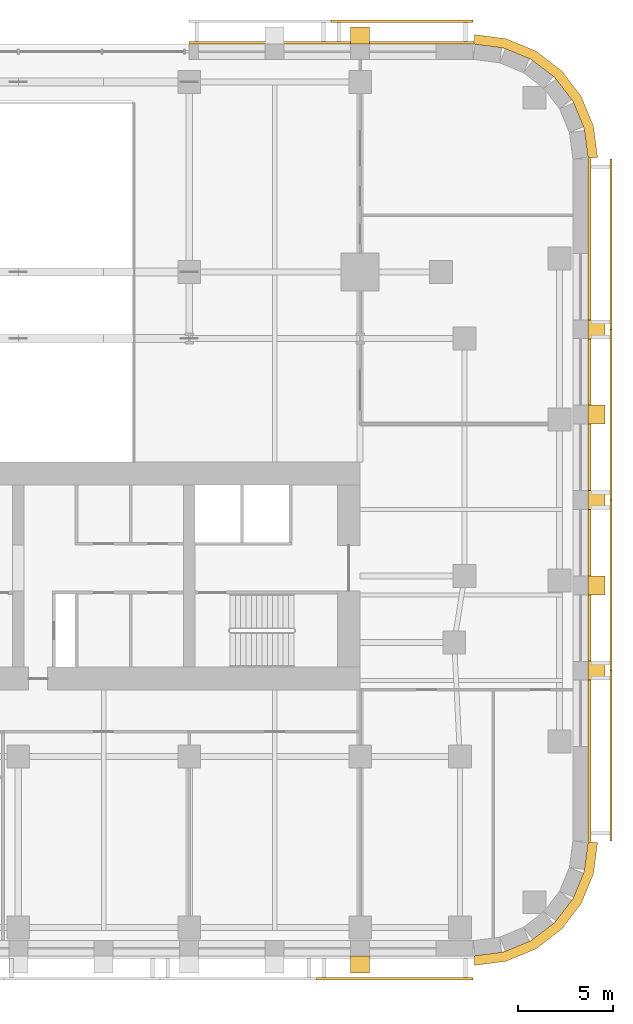
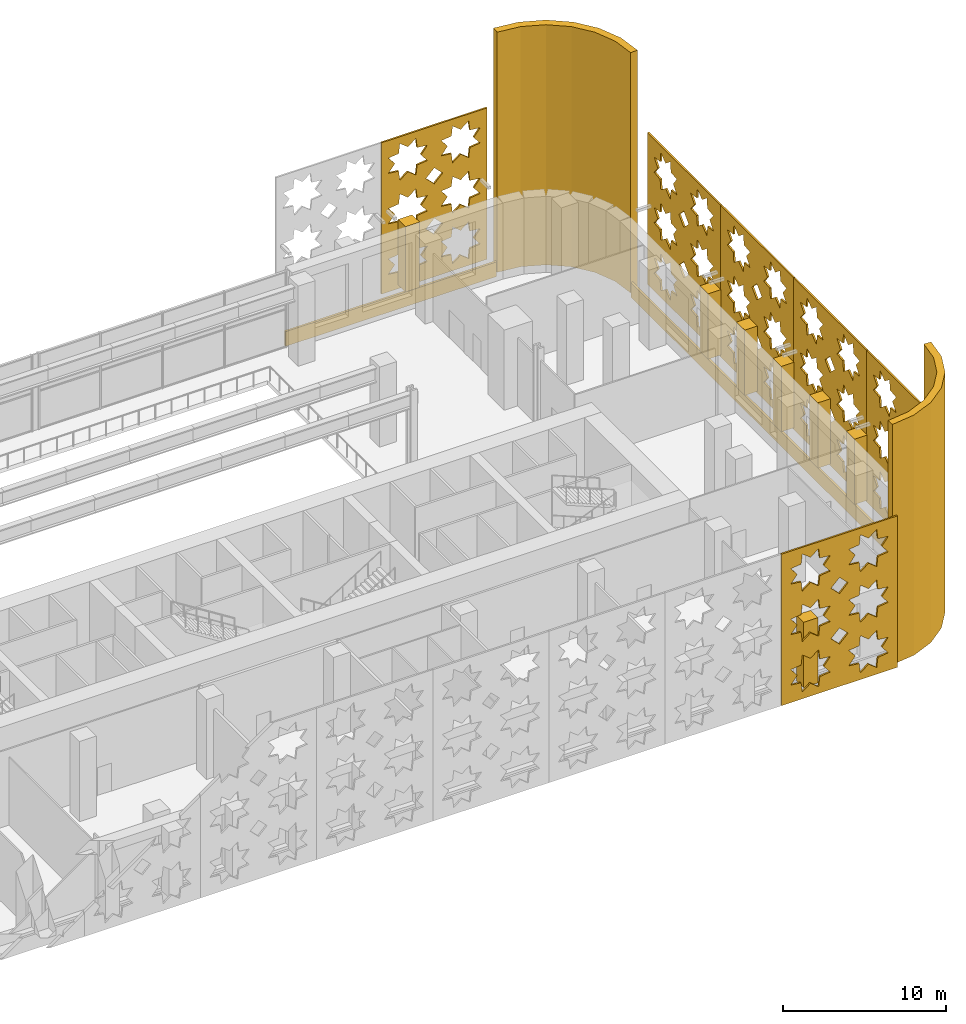
# One storey, part 17 of 17: 17 coverings.
"""IFC4 building model written with IfcOpenShell, lengths in metres."""

from ifc_helpers import new_model, si_unit, direction, frame, origin, place, context, subcontext, project, spatial, polyline, outline, extrude, material, layer, layer_set, type_object, element, save


model = new_model("IFC4")

# Units and contexts
model_context = context("Model", 3, precision=1e-05, world=origin(), true_north=direction((0.0, 1.0)))
body_context = subcontext(model_context, "Body", "Model", "MODEL_VIEW")
ifc_project = project(units=[si_unit("LENGTHUNIT", "METRE"), si_unit("AREAUNIT", "SQUARE_METRE"), si_unit("VOLUMEUNIT", "CUBIC_METRE"), si_unit("PLANEANGLEUNIT", "RADIAN"), si_unit("MASSUNIT", "GRAM", prefix="KILO")], contexts=[model_context])

# Site, building, storey
site_placement = place(None, origin())
site = spatial("IfcSite", under=ifc_project, at=site_placement, CompositionType="ELEMENT")
building_placement = place(site_placement, origin())
building = spatial("IfcBuilding", under=site, at=building_placement, Name="Zellij Exchange Tower", CompositionType="ELEMENT")
storey_placement = place(building_placement, frame((0.0, 0.0, 21.0)))
storey = spatial("IfcBuildingStorey", under=building, at=storey_placement, Name="L03", CompositionType="ELEMENT", Elevation=21.0)

# Coverings
ifc_material_1 = material(Name="Limestone cladding", Category="masonry")
ifc_layer_1 = layer(ifc_material_1, 0.14990234375)
ifc_layer_set_1 = layer_set([ifc_layer_1], Name="Limestone cladding")
covering_type_1 = type_object("IfcCoveringType", Name="ENV-CV1 Stone spandrel band 150", PredefinedType="CLADDING", material=ifc_layer_set_1)
covering_1_placement = place(storey_placement, frame((0.0, 0.0, -0.300048828125)))
element("IfcCovering", 1, at=covering_1_placement, inside=storey, type_object=covering_type_1, Name="Stone spandrel band", PredefinedType="CLADDING", context=body_context, shape_type="SweptSolid", body=[
    extrude(outline(polyline([(39.0, -21.973876953125), (39.0, 13.973876953125), (39.14990234375, 13.983642578125), (39.14990234375, -21.983642578125), (39.0, -21.973876953125)])), origin(), (0.0, 0.0, 1.0), 1.10009765625),
])
covering_2_placement = place(storey_placement, frame((0.0, 0.0, -0.300048828125)))
element("IfcCovering", 2, at=covering_2_placement, inside=storey, type_object=covering_type_1, Name="Stone spandrel band", PredefinedType="CLADDING", context=body_context, shape_type="SweptSolid", body=[
    extrude(outline(polyline([(32.973876953125, 20.0), (18.0, 20.0), (18.0, 20.14990234375), (32.983642578125, 20.14990234375), (32.973876953125, 20.0)])), origin(), (0.0, 0.0, 1.0), 1.10009765625),
])
ifc_layer_2 = layer(ifc_material_1, 0.5)
ifc_layer_set_2 = layer_set([ifc_layer_2], Name="Limestone cladding")
covering_type_2 = type_object("IfcCoveringType", Name="ENV-CV12 Stone corner pier 500", PredefinedType="CLADDING", material=ifc_layer_set_2)
covering_3_placement = place(storey_placement, origin())
element("IfcCovering", 3, at=covering_3_placement, inside=storey, type_object=covering_type_2, Name="Stone corner pier", PredefinedType="CLADDING", context=body_context, shape_type="SweptSolid", body=[
    extrude(outline(polyline([(33.0, -28.0), (34.552978515625, -27.795654296875), (36.0, -27.1962890625), (37.24267578125, -26.24267578125), (38.1962890625, -25.0), (38.795654296875, -23.552978515625), (39.0, -22.0), (39.5, -22.03271484375), (39.28271484375, -23.683349609375), (38.6328125, -25.252197265625), (37.59912109375, -26.59912109375), (36.252197265625, -27.6328125), (34.683349609375, -28.28271484375), (33.03271484375, -28.5), (33.0, -28.0)])), origin(), (0.0, 0.0, 1.0), 18.0),
])
covering_4_placement = place(storey_placement, origin())
element("IfcCovering", 4, at=covering_4_placement, inside=storey, type_object=covering_type_2, Name="Stone corner pier", PredefinedType="CLADDING", context=body_context, shape_type="SweptSolid", body=[
    extrude(outline(polyline([(39.0, 14.0), (38.795654296875, 15.552978515625), (38.1962890625, 17.0), (37.24267578125, 18.24267578125), (36.0, 19.1962890625), (34.552978515625, 19.795654296875), (33.0, 20.0), (33.03271484375, 20.5), (34.683349609375, 20.28271484375), (36.252197265625, 19.6328125), (37.59912109375, 18.59912109375), (38.6328125, 17.252197265625), (39.28271484375, 15.683349609375), (39.5, 14.03271484375), (39.0, 14.0)])), origin(), (0.0, 0.0, 1.0), 18.0),
])
covering_type_3 = type_object("IfcCoveringType", Name="ENV-CV2 Stone pier 1000x900", PredefinedType="CLADDING", material=ifc_material_1)
covering_5_placement = place(storey_placement, frame((0.0, 0.0, 0.800048828125)))
element("IfcCovering", 5, at=covering_5_placement, inside=storey, type_object=covering_type_3, Name="Stone pier", PredefinedType="CLADDING", context=body_context, shape_type="SweptSolid", body=[
    extrude(outline(polyline([(26.5, -28.0), (27.5, -28.0), (27.5, -28.89990234375), (26.5, -28.89990234375), (26.5, -28.0)])), origin(), (0.0, 0.0, 1.0), 4.89990234375),
])
covering_6_placement = place(storey_placement, frame((0.0, 0.0, 0.800048828125)))
element("IfcCovering", 6, at=covering_6_placement, inside=storey, type_object=covering_type_3, Name="Stone pier", PredefinedType="CLADDING", context=body_context, shape_type="SweptSolid", body=[
    extrude(outline(polyline([(39.0, -13.48681640625), (39.0, -12.48681640625), (39.89990234375, -12.48681640625), (39.89990234375, -13.48681640625), (39.0, -13.48681640625)])), origin(), (0.0, 0.0, 1.0), 4.89990234375),
])
covering_7_placement = place(storey_placement, frame((0.0, 0.0, 0.800048828125)))
element("IfcCovering", 7, at=covering_7_placement, inside=storey, type_object=covering_type_3, Name="Stone pier", PredefinedType="CLADDING", context=body_context, shape_type="SweptSolid", body=[
    extrude(outline(polyline([(39.0, -8.993408203125), (39.0, -7.993408203125), (39.89990234375, -7.993408203125), (39.89990234375, -8.993408203125), (39.0, -8.993408203125)])), origin(), (0.0, 0.0, 1.0), 4.89990234375),
])
covering_8_placement = place(storey_placement, frame((0.0, 0.0, 0.800048828125)))
element("IfcCovering", 8, at=covering_8_placement, inside=storey, type_object=covering_type_3, Name="Stone pier", PredefinedType="CLADDING", context=body_context, shape_type="SweptSolid", body=[
    extrude(outline(polyline([(39.0, -4.5), (39.0, -3.5), (39.89990234375, -3.5), (39.89990234375, -4.5), (39.0, -4.5)])), origin(), (0.0, 0.0, 1.0), 4.89990234375),
])
covering_9_placement = place(storey_placement, frame((0.0, 0.0, 0.800048828125)))
element("IfcCovering", 9, at=covering_9_placement, inside=storey, type_object=covering_type_3, Name="Stone pier", PredefinedType="CLADDING", context=body_context, shape_type="SweptSolid", body=[
    extrude(outline(polyline([(39.0, -0.006591796875), (39.0, 0.993408203125), (39.89990234375, 0.993408203125), (39.89990234375, -0.006591796875), (39.0, -0.006591796875)])), origin(), (0.0, 0.0, 1.0), 4.89990234375),
])
covering_10_placement = place(storey_placement, frame((0.0, 0.0, 0.800048828125)))
element("IfcCovering", 10, at=covering_10_placement, inside=storey, type_object=covering_type_3, Name="Stone pier", PredefinedType="CLADDING", context=body_context, shape_type="SweptSolid", body=[
    extrude(outline(polyline([(39.0, 4.48681640625), (39.0, 5.48681640625), (39.89990234375, 5.48681640625), (39.89990234375, 4.48681640625), (39.0, 4.48681640625)])), origin(), (0.0, 0.0, 1.0), 4.89990234375),
])
covering_11_placement = place(storey_placement, frame((0.0, 0.0, 0.800048828125)))
element("IfcCovering", 11, at=covering_11_placement, inside=storey, type_object=covering_type_3, Name="Stone pier", PredefinedType="CLADDING", context=body_context, shape_type="SweptSolid", body=[
    extrude(outline(polyline([(27.5, 20.0), (26.5, 20.0), (26.5, 20.89990234375), (27.5, 20.89990234375), (27.5, 20.0)])), origin(), (0.0, 0.0, 1.0), 4.89990234375),
])
ifc_material_2 = material(Name="Limestone screen", Category="masonry")
ifc_layer_3 = layer(ifc_material_2, 0.1201171875)
ifc_layer_set_3 = layer_set([ifc_layer_3], Name="Limestone screen")
covering_type_4 = type_object("IfcCoveringType", Name="ENV-SC1 Pierced stone screen 120", PredefinedType="USERDEFINED", material=ifc_layer_set_3)
covering_12_placement = place(storey_placement, frame((24.710693359375, -29.2099609375, 0.300048828125), z_axis=(0.0, 0.0, 1.0), x_axis=(1.0, 0.0, 0.0)))
element("IfcCovering", 12, at=covering_12_placement, inside=storey, type_object=covering_type_4, Name="Pierced stone screen", ObjectType="SCREEN", PredefinedType="USERDEFINED", context=body_context, shape_type="SweptSolid", body=[
    extrude(outline(polyline([(0.0, 0.0), (8.23681640625, 0.0), (8.23681640625, 11.35009765625), (0.0, 11.35009765625), (0.0, 0.0)]), holes=[polyline([(3.45751953125, 2.470703125), (2.72265625, 2.55517578125), (2.638427734375, 3.289794921875), (2.05908203125, 2.829833984375), (1.47998046875, 3.289794921875), (1.395751953125, 2.55517578125), (0.6611328125, 2.470703125), (1.12109375, 1.8916015625), (0.6611328125, 1.3125), (1.395751953125, 1.228271484375), (1.47998046875, 0.493408203125), (2.05908203125, 0.953369140625), (2.638427734375, 0.493408203125), (2.72265625, 1.228271484375), (3.45751953125, 1.3125), (2.99755859375, 1.8916015625), (3.45751953125, 2.470703125)]), polyline([(3.45751953125, 6.254150390625), (2.72265625, 6.33837890625), (2.638427734375, 7.072998046875), (2.05908203125, 6.61328125), (1.47998046875, 7.072998046875), (1.395751953125, 6.33837890625), (0.6611328125, 6.254150390625), (1.12109375, 5.675048828125), (0.6611328125, 5.095947265625), (1.395751953125, 5.011474609375), (1.47998046875, 4.27685546875), (2.05908203125, 4.73681640625), (2.638427734375, 4.27685546875), (2.72265625, 5.011474609375), (3.45751953125, 5.095947265625), (2.99755859375, 5.675048828125), (3.45751953125, 6.254150390625)]), polyline([(3.45751953125, 10.03759765625), (2.72265625, 10.121826171875), (2.638427734375, 10.8564453125), (2.05908203125, 10.396484375), (1.47998046875, 10.8564453125), (1.395751953125, 10.121826171875), (0.6611328125, 10.03759765625), (1.12109375, 9.458251953125), (0.6611328125, 8.879150390625), (1.395751953125, 8.794921875), (1.47998046875, 8.060302734375), (2.05908203125, 8.52001953125), (2.638427734375, 8.060302734375), (2.72265625, 8.794921875), (3.45751953125, 8.879150390625), (2.99755859375, 9.458251953125), (3.45751953125, 10.03759765625)]), polyline([(7.57568359375, 2.470703125), (6.841064453125, 2.55517578125), (6.7568359375, 3.289794921875), (6.177734375, 2.829833984375), (5.598388671875, 3.289794921875), (5.51416015625, 2.55517578125), (4.779541015625, 2.470703125), (5.239501953125, 1.8916015625), (4.779541015625, 1.3125), (5.51416015625, 1.228271484375), (5.598388671875, 0.493408203125), (6.177734375, 0.953369140625), (6.7568359375, 0.493408203125), (6.841064453125, 1.228271484375), (7.57568359375, 1.3125), (7.115966796875, 1.8916015625), (7.57568359375, 2.470703125)]), polyline([(7.57568359375, 6.254150390625), (6.841064453125, 6.33837890625), (6.7568359375, 7.072998046875), (6.177734375, 6.61328125), (5.598388671875, 7.072998046875), (5.51416015625, 6.33837890625), (4.779541015625, 6.254150390625), (5.239501953125, 5.675048828125), (4.779541015625, 5.095947265625), (5.51416015625, 5.011474609375), (5.598388671875, 4.27685546875), (6.177734375, 4.73681640625), (6.7568359375, 4.27685546875), (6.841064453125, 5.011474609375), (7.57568359375, 5.095947265625), (7.115966796875, 5.675048828125), (7.57568359375, 6.254150390625)]), polyline([(7.57568359375, 10.03759765625), (6.841064453125, 10.121826171875), (6.7568359375, 10.8564453125), (6.177734375, 10.396484375), (5.598388671875, 10.8564453125), (5.51416015625, 10.121826171875), (4.779541015625, 10.03759765625), (5.239501953125, 9.458251953125), (4.779541015625, 8.879150390625), (5.51416015625, 8.794921875), (5.598388671875, 8.060302734375), (6.177734375, 8.52001953125), (6.7568359375, 8.060302734375), (6.841064453125, 8.794921875), (7.57568359375, 8.879150390625), (7.115966796875, 9.458251953125), (7.57568359375, 10.03759765625)]), polyline([(4.723876953125, 3.783203125), (4.118408203125, 4.388671875), (3.51318359375, 3.783203125), (4.118408203125, 3.177978515625), (4.723876953125, 3.783203125)]), polyline([(4.723876953125, 7.566650390625), (4.118408203125, 8.172119140625), (3.51318359375, 7.566650390625), (4.118408203125, 6.961181640625), (4.723876953125, 7.566650390625)])]), frame((0.0, 0.06005859375, 0.0), z_axis=(0.0, -1.0, 0.0), x_axis=(1.0, 0.0, 0.0)), (0.0, 0.0, 1.0), 0.1201171875),
])
covering_13_placement = place(storey_placement, frame((32.947509765625, 21.2099609375, 0.300048828125), z_axis=(0.0, 0.0, 1.0), x_axis=(-1.0, 0.0, 0.0)))
element("IfcCovering", 13, at=covering_13_placement, inside=storey, type_object=covering_type_4, Name="Pierced stone screen", ObjectType="SCREEN", PredefinedType="USERDEFINED", context=body_context, shape_type="SweptSolid", body=[
    extrude(outline(polyline([(0.0, 0.0), (7.473876953125, 0.0), (7.473876953125, 11.35009765625), (0.0, 11.35009765625), (0.0, 0.0)]), holes=[polyline([(3.24951171875, 2.463623046875), (2.523681640625, 2.547119140625), (2.4404296875, 3.272705078125), (1.868408203125, 2.818359375), (1.29638671875, 3.272705078125), (1.213134765625, 2.547119140625), (0.487548828125, 2.463623046875), (0.941650390625, 1.8916015625), (0.487548828125, 1.319580078125), (1.213134765625, 1.236328125), (1.29638671875, 0.5107421875), (1.868408203125, 0.96484375), (2.4404296875, 0.5107421875), (2.523681640625, 1.236328125), (3.24951171875, 1.319580078125), (2.795166015625, 1.8916015625), (3.24951171875, 2.463623046875)]), polyline([(3.24951171875, 6.2470703125), (2.523681640625, 6.330322265625), (2.4404296875, 7.055908203125), (1.868408203125, 6.601806640625), (1.29638671875, 7.055908203125), (1.213134765625, 6.330322265625), (0.487548828125, 6.2470703125), (0.941650390625, 5.675048828125), (0.487548828125, 5.10302734375), (1.213134765625, 5.019775390625), (1.29638671875, 4.2939453125), (1.868408203125, 4.748291015625), (2.4404296875, 4.2939453125), (2.523681640625, 5.019775390625), (3.24951171875, 5.10302734375), (2.795166015625, 5.675048828125), (3.24951171875, 6.2470703125)]), polyline([(3.24951171875, 10.030517578125), (2.523681640625, 10.113525390625), (2.4404296875, 10.83935546875), (1.868408203125, 10.385009765625), (1.29638671875, 10.83935546875), (1.213134765625, 10.113525390625), (0.487548828125, 10.030517578125), (0.941650390625, 9.458251953125), (0.487548828125, 8.88623046875), (1.213134765625, 8.802978515625), (1.29638671875, 8.077392578125), (1.868408203125, 8.531494140625), (2.4404296875, 8.077392578125), (2.523681640625, 8.802978515625), (3.24951171875, 8.88623046875), (2.795166015625, 9.458251953125), (3.24951171875, 10.030517578125)]), polyline([(6.986328125, 2.463623046875), (6.2607421875, 2.547119140625), (6.177490234375, 3.272705078125), (5.605224609375, 2.818359375), (5.033203125, 3.272705078125), (4.949951171875, 2.547119140625), (4.224365234375, 2.463623046875), (4.6787109375, 1.8916015625), (4.224365234375, 1.319580078125), (4.949951171875, 1.236328125), (5.033203125, 0.5107421875), (5.605224609375, 0.96484375), (6.177490234375, 0.5107421875), (6.2607421875, 1.236328125), (6.986328125, 1.319580078125), (6.531982421875, 1.8916015625), (6.986328125, 2.463623046875)]), polyline([(6.986328125, 6.2470703125), (6.2607421875, 6.330322265625), (6.177490234375, 7.055908203125), (5.605224609375, 6.601806640625), (5.033203125, 7.055908203125), (4.949951171875, 6.330322265625), (4.224365234375, 6.2470703125), (4.6787109375, 5.675048828125), (4.224365234375, 5.10302734375), (4.949951171875, 5.019775390625), (5.033203125, 4.2939453125), (5.605224609375, 4.748291015625), (6.177490234375, 4.2939453125), (6.2607421875, 5.019775390625), (6.986328125, 5.10302734375), (6.531982421875, 5.675048828125), (6.986328125, 6.2470703125)]), polyline([(6.986328125, 10.030517578125), (6.2607421875, 10.113525390625), (6.177490234375, 10.83935546875), (5.605224609375, 10.385009765625), (5.033203125, 10.83935546875), (4.949951171875, 10.113525390625), (4.224365234375, 10.030517578125), (4.6787109375, 9.458251953125), (4.224365234375, 8.88623046875), (4.949951171875, 8.802978515625), (5.033203125, 8.077392578125), (5.605224609375, 8.531494140625), (6.177490234375, 8.077392578125), (6.2607421875, 8.802978515625), (6.986328125, 8.88623046875), (6.531982421875, 9.458251953125), (6.986328125, 10.030517578125)]), polyline([(4.334716796875, 3.783203125), (3.73681640625, 4.381103515625), (3.138916015625, 3.783203125), (3.73681640625, 3.185302734375), (4.334716796875, 3.783203125)]), polyline([(4.334716796875, 7.566650390625), (3.73681640625, 8.16455078125), (3.138916015625, 7.566650390625), (3.73681640625, 6.96875), (4.334716796875, 7.566650390625)])]), frame((0.0, 0.06005859375, 0.0), z_axis=(0.0, -1.0, 0.0), x_axis=(1.0, 0.0, 0.0)), (0.0, 0.0, 1.0), 0.1201171875),
])
covering_14_placement = place(storey_placement, frame((40.2099609375, -21.947509765625, 0.300048828125), z_axis=(0.0, 0.0, 1.0), x_axis=(0.0, 1.0, 0.0)))
element("IfcCovering", 14, at=covering_14_placement, inside=storey, type_object=covering_type_4, Name="Pierced stone screen", ObjectType="SCREEN", PredefinedType="USERDEFINED", context=body_context, shape_type="SweptSolid", body=[
    extrude(outline(polyline([(0.0, 0.0), (8.973876953125, 0.0), (8.973876953125, 11.35009765625), (0.0, 11.35009765625), (0.0, 0.0)]), holes=[polyline([(3.6416015625, 2.470703125), (2.906982421875, 2.55517578125), (2.822509765625, 3.289794921875), (2.243408203125, 2.829833984375), (1.664306640625, 3.289794921875), (1.580078125, 2.55517578125), (0.84521484375, 2.470703125), (1.30517578125, 1.8916015625), (0.84521484375, 1.3125), (1.580078125, 1.228271484375), (1.664306640625, 0.493408203125), (2.243408203125, 0.953369140625), (2.822509765625, 0.493408203125), (2.906982421875, 1.228271484375), (3.6416015625, 1.3125), (3.181640625, 1.8916015625), (3.6416015625, 2.470703125)]), polyline([(3.6416015625, 6.254150390625), (2.906982421875, 6.33837890625), (2.822509765625, 7.072998046875), (2.243408203125, 6.61328125), (1.664306640625, 7.072998046875), (1.580078125, 6.33837890625), (0.84521484375, 6.254150390625), (1.30517578125, 5.675048828125), (0.84521484375, 5.095947265625), (1.580078125, 5.011474609375), (1.664306640625, 4.27685546875), (2.243408203125, 4.73681640625), (2.822509765625, 4.27685546875), (2.906982421875, 5.011474609375), (3.6416015625, 5.095947265625), (3.181640625, 5.675048828125), (3.6416015625, 6.254150390625)]), polyline([(3.6416015625, 10.03759765625), (2.906982421875, 10.121826171875), (2.822509765625, 10.8564453125), (2.243408203125, 10.396484375), (1.664306640625, 10.8564453125), (1.580078125, 10.121826171875), (0.84521484375, 10.03759765625), (1.30517578125, 9.458251953125), (0.84521484375, 8.879150390625), (1.580078125, 8.794921875), (1.664306640625, 8.060302734375), (2.243408203125, 8.52001953125), (2.822509765625, 8.060302734375), (2.906982421875, 8.794921875), (3.6416015625, 8.879150390625), (3.181640625, 9.458251953125), (3.6416015625, 10.03759765625)]), polyline([(8.12841796875, 2.470703125), (7.393798828125, 2.55517578125), (7.3095703125, 3.289794921875), (6.730224609375, 2.829833984375), (6.151123046875, 3.289794921875), (6.06689453125, 2.55517578125), (5.332275390625, 2.470703125), (5.7919921875, 1.8916015625), (5.332275390625, 1.3125), (6.06689453125, 1.228271484375), (6.151123046875, 0.493408203125), (6.730224609375, 0.953369140625), (7.3095703125, 0.493408203125), (7.393798828125, 1.228271484375), (8.12841796875, 1.3125), (7.668701171875, 1.8916015625), (8.12841796875, 2.470703125)]), polyline([(8.12841796875, 6.254150390625), (7.393798828125, 6.33837890625), (7.3095703125, 7.072998046875), (6.730224609375, 6.61328125), (6.151123046875, 7.072998046875), (6.06689453125, 6.33837890625), (5.332275390625, 6.254150390625), (5.7919921875, 5.675048828125), (5.332275390625, 5.095947265625), (6.06689453125, 5.011474609375), (6.151123046875, 4.27685546875), (6.730224609375, 4.73681640625), (7.3095703125, 4.27685546875), (7.393798828125, 5.011474609375), (8.12841796875, 5.095947265625), (7.668701171875, 5.675048828125), (8.12841796875, 6.254150390625)]), polyline([(8.12841796875, 10.03759765625), (7.393798828125, 10.121826171875), (7.3095703125, 10.8564453125), (6.730224609375, 10.396484375), (6.151123046875, 10.8564453125), (6.06689453125, 10.121826171875), (5.332275390625, 10.03759765625), (5.7919921875, 9.458251953125), (5.332275390625, 8.879150390625), (6.06689453125, 8.794921875), (6.151123046875, 8.060302734375), (6.730224609375, 8.52001953125), (7.3095703125, 8.060302734375), (7.393798828125, 8.794921875), (8.12841796875, 8.879150390625), (7.668701171875, 9.458251953125), (8.12841796875, 10.03759765625)]), polyline([(5.09228515625, 3.783203125), (4.48681640625, 4.388671875), (3.881591796875, 3.783203125), (4.48681640625, 3.177978515625), (5.09228515625, 3.783203125)]), polyline([(5.09228515625, 7.566650390625), (4.48681640625, 8.172119140625), (3.881591796875, 7.566650390625), (4.48681640625, 6.961181640625), (5.09228515625, 7.566650390625)])]), frame((0.0, 0.06005859375, 0.0), z_axis=(0.0, -1.0, 0.0), x_axis=(1.0, 0.0, 0.0)), (0.0, 0.0, 1.0), 0.1201171875),
])
covering_15_placement = place(storey_placement, frame((40.2099609375, -12.973876953125, 0.300048828125), z_axis=(0.0, 0.0, 1.0), x_axis=(0.0, 1.0, 0.0)))
element("IfcCovering", 15, at=covering_15_placement, inside=storey, type_object=covering_type_4, Name="Pierced stone screen", ObjectType="SCREEN", PredefinedType="USERDEFINED", context=body_context, shape_type="SweptSolid", body=[
    extrude(outline(polyline([(0.0, 0.0), (8.973876953125, 0.0), (8.973876953125, 11.35009765625), (0.0, 11.35009765625), (0.0, 0.0)]), holes=[polyline([(3.6416015625, 2.470703125), (2.906982421875, 2.55517578125), (2.822509765625, 3.289794921875), (2.243408203125, 2.829833984375), (1.664306640625, 3.289794921875), (1.580078125, 2.55517578125), (0.84521484375, 2.470703125), (1.30517578125, 1.8916015625), (0.84521484375, 1.3125), (1.580078125, 1.228271484375), (1.664306640625, 0.493408203125), (2.243408203125, 0.953369140625), (2.822509765625, 0.493408203125), (2.906982421875, 1.228271484375), (3.6416015625, 1.3125), (3.181640625, 1.8916015625), (3.6416015625, 2.470703125)]), polyline([(3.6416015625, 6.254150390625), (2.906982421875, 6.33837890625), (2.822509765625, 7.072998046875), (2.243408203125, 6.61328125), (1.664306640625, 7.072998046875), (1.580078125, 6.33837890625), (0.84521484375, 6.254150390625), (1.30517578125, 5.675048828125), (0.84521484375, 5.095947265625), (1.580078125, 5.011474609375), (1.664306640625, 4.27685546875), (2.243408203125, 4.73681640625), (2.822509765625, 4.27685546875), (2.906982421875, 5.011474609375), (3.6416015625, 5.095947265625), (3.181640625, 5.675048828125), (3.6416015625, 6.254150390625)]), polyline([(3.6416015625, 10.03759765625), (2.906982421875, 10.121826171875), (2.822509765625, 10.8564453125), (2.243408203125, 10.396484375), (1.664306640625, 10.8564453125), (1.580078125, 10.121826171875), (0.84521484375, 10.03759765625), (1.30517578125, 9.458251953125), (0.84521484375, 8.879150390625), (1.580078125, 8.794921875), (1.664306640625, 8.060302734375), (2.243408203125, 8.52001953125), (2.822509765625, 8.060302734375), (2.906982421875, 8.794921875), (3.6416015625, 8.879150390625), (3.181640625, 9.458251953125), (3.6416015625, 10.03759765625)]), polyline([(8.12841796875, 2.470703125), (7.393798828125, 2.55517578125), (7.3095703125, 3.289794921875), (6.730224609375, 2.829833984375), (6.151123046875, 3.289794921875), (6.06689453125, 2.55517578125), (5.332275390625, 2.470703125), (5.7919921875, 1.8916015625), (5.332275390625, 1.3125), (6.06689453125, 1.228271484375), (6.151123046875, 0.493408203125), (6.730224609375, 0.953369140625), (7.3095703125, 0.493408203125), (7.393798828125, 1.228271484375), (8.12841796875, 1.3125), (7.668701171875, 1.8916015625), (8.12841796875, 2.470703125)]), polyline([(8.12841796875, 6.254150390625), (7.393798828125, 6.33837890625), (7.3095703125, 7.072998046875), (6.730224609375, 6.61328125), (6.151123046875, 7.072998046875), (6.06689453125, 6.33837890625), (5.332275390625, 6.254150390625), (5.7919921875, 5.675048828125), (5.332275390625, 5.095947265625), (6.06689453125, 5.011474609375), (6.151123046875, 4.27685546875), (6.730224609375, 4.73681640625), (7.3095703125, 4.27685546875), (7.393798828125, 5.011474609375), (8.12841796875, 5.095947265625), (7.668701171875, 5.675048828125), (8.12841796875, 6.254150390625)]), polyline([(8.12841796875, 10.03759765625), (7.393798828125, 10.121826171875), (7.3095703125, 10.8564453125), (6.730224609375, 10.396484375), (6.151123046875, 10.8564453125), (6.06689453125, 10.121826171875), (5.332275390625, 10.03759765625), (5.7919921875, 9.458251953125), (5.332275390625, 8.879150390625), (6.06689453125, 8.794921875), (6.151123046875, 8.060302734375), (6.730224609375, 8.52001953125), (7.3095703125, 8.060302734375), (7.393798828125, 8.794921875), (8.12841796875, 8.879150390625), (7.668701171875, 9.458251953125), (8.12841796875, 10.03759765625)]), polyline([(5.09228515625, 3.783203125), (4.48681640625, 4.388671875), (3.881591796875, 3.783203125), (4.48681640625, 3.177978515625), (5.09228515625, 3.783203125)]), polyline([(5.09228515625, 7.566650390625), (4.48681640625, 8.172119140625), (3.881591796875, 7.566650390625), (4.48681640625, 6.961181640625), (5.09228515625, 7.566650390625)])]), frame((0.0, 0.06005859375, 0.0), z_axis=(0.0, -1.0, 0.0), x_axis=(1.0, 0.0, 0.0)), (0.0, 0.0, 1.0), 0.1201171875),
])
covering_16_placement = place(storey_placement, frame((40.2099609375, -4.0, 0.300048828125), z_axis=(0.0, 0.0, 1.0), x_axis=(0.0, 1.0, 0.0)))
element("IfcCovering", 16, at=covering_16_placement, inside=storey, type_object=covering_type_4, Name="Pierced stone screen", ObjectType="SCREEN", PredefinedType="USERDEFINED", context=body_context, shape_type="SweptSolid", body=[
    extrude(outline(polyline([(0.0, 0.0), (8.973876953125, 0.0), (8.973876953125, 11.35009765625), (0.0, 11.35009765625), (0.0, 0.0)]), holes=[polyline([(3.6416015625, 2.470703125), (2.906982421875, 2.55517578125), (2.822509765625, 3.289794921875), (2.243408203125, 2.829833984375), (1.664306640625, 3.289794921875), (1.580078125, 2.55517578125), (0.84521484375, 2.470703125), (1.30517578125, 1.8916015625), (0.84521484375, 1.3125), (1.580078125, 1.228271484375), (1.664306640625, 0.493408203125), (2.243408203125, 0.953369140625), (2.822509765625, 0.493408203125), (2.906982421875, 1.228271484375), (3.6416015625, 1.3125), (3.181640625, 1.8916015625), (3.6416015625, 2.470703125)]), polyline([(3.6416015625, 6.254150390625), (2.906982421875, 6.33837890625), (2.822509765625, 7.072998046875), (2.243408203125, 6.61328125), (1.664306640625, 7.072998046875), (1.580078125, 6.33837890625), (0.84521484375, 6.254150390625), (1.30517578125, 5.675048828125), (0.84521484375, 5.095947265625), (1.580078125, 5.011474609375), (1.664306640625, 4.27685546875), (2.243408203125, 4.73681640625), (2.822509765625, 4.27685546875), (2.906982421875, 5.011474609375), (3.6416015625, 5.095947265625), (3.181640625, 5.675048828125), (3.6416015625, 6.254150390625)]), polyline([(3.6416015625, 10.03759765625), (2.906982421875, 10.121826171875), (2.822509765625, 10.8564453125), (2.243408203125, 10.396484375), (1.664306640625, 10.8564453125), (1.580078125, 10.121826171875), (0.84521484375, 10.03759765625), (1.30517578125, 9.458251953125), (0.84521484375, 8.879150390625), (1.580078125, 8.794921875), (1.664306640625, 8.060302734375), (2.243408203125, 8.52001953125), (2.822509765625, 8.060302734375), (2.906982421875, 8.794921875), (3.6416015625, 8.879150390625), (3.181640625, 9.458251953125), (3.6416015625, 10.03759765625)]), polyline([(8.12841796875, 2.470703125), (7.393798828125, 2.55517578125), (7.3095703125, 3.289794921875), (6.730224609375, 2.829833984375), (6.151123046875, 3.289794921875), (6.06689453125, 2.55517578125), (5.332275390625, 2.470703125), (5.7919921875, 1.8916015625), (5.332275390625, 1.3125), (6.06689453125, 1.228271484375), (6.151123046875, 0.493408203125), (6.730224609375, 0.953369140625), (7.3095703125, 0.493408203125), (7.393798828125, 1.228271484375), (8.12841796875, 1.3125), (7.668701171875, 1.8916015625), (8.12841796875, 2.470703125)]), polyline([(8.12841796875, 6.254150390625), (7.393798828125, 6.33837890625), (7.3095703125, 7.072998046875), (6.730224609375, 6.61328125), (6.151123046875, 7.072998046875), (6.06689453125, 6.33837890625), (5.332275390625, 6.254150390625), (5.7919921875, 5.675048828125), (5.332275390625, 5.095947265625), (6.06689453125, 5.011474609375), (6.151123046875, 4.27685546875), (6.730224609375, 4.73681640625), (7.3095703125, 4.27685546875), (7.393798828125, 5.011474609375), (8.12841796875, 5.095947265625), (7.668701171875, 5.675048828125), (8.12841796875, 6.254150390625)]), polyline([(8.12841796875, 10.03759765625), (7.393798828125, 10.121826171875), (7.3095703125, 10.8564453125), (6.730224609375, 10.396484375), (6.151123046875, 10.8564453125), (6.06689453125, 10.121826171875), (5.332275390625, 10.03759765625), (5.7919921875, 9.458251953125), (5.332275390625, 8.879150390625), (6.06689453125, 8.794921875), (6.151123046875, 8.060302734375), (6.730224609375, 8.52001953125), (7.3095703125, 8.060302734375), (7.393798828125, 8.794921875), (8.12841796875, 8.879150390625), (7.668701171875, 9.458251953125), (8.12841796875, 10.03759765625)]), polyline([(5.09228515625, 3.783203125), (4.48681640625, 4.388671875), (3.881591796875, 3.783203125), (4.48681640625, 3.177978515625), (5.09228515625, 3.783203125)]), polyline([(5.09228515625, 7.566650390625), (4.48681640625, 8.172119140625), (3.881591796875, 7.566650390625), (4.48681640625, 6.961181640625), (5.09228515625, 7.566650390625)])]), frame((0.0, 0.06005859375, 0.0), z_axis=(0.0, -1.0, 0.0), x_axis=(1.0, 0.0, 0.0)), (0.0, 0.0, 1.0), 0.1201171875),
])
covering_17_placement = place(storey_placement, frame((40.2099609375, 4.973876953125, 0.300048828125), z_axis=(0.0, 0.0, 1.0), x_axis=(0.0, 1.0, 0.0)))
element("IfcCovering", 17, at=covering_17_placement, inside=storey, type_object=covering_type_4, Name="Pierced stone screen", ObjectType="SCREEN", PredefinedType="USERDEFINED", context=body_context, shape_type="SweptSolid", body=[
    extrude(outline(polyline([(0.0, 0.0), (8.973876953125, 0.0), (8.973876953125, 11.35009765625), (0.0, 11.35009765625), (0.0, 0.0)]), holes=[polyline([(3.6416015625, 2.470703125), (2.906982421875, 2.55517578125), (2.822509765625, 3.289794921875), (2.243408203125, 2.829833984375), (1.664306640625, 3.289794921875), (1.580078125, 2.55517578125), (0.84521484375, 2.470703125), (1.30517578125, 1.8916015625), (0.84521484375, 1.3125), (1.580078125, 1.228271484375), (1.664306640625, 0.493408203125), (2.243408203125, 0.953369140625), (2.822509765625, 0.493408203125), (2.906982421875, 1.228271484375), (3.6416015625, 1.3125), (3.181640625, 1.8916015625), (3.6416015625, 2.470703125)]), polyline([(3.6416015625, 6.254150390625), (2.906982421875, 6.33837890625), (2.822509765625, 7.072998046875), (2.243408203125, 6.61328125), (1.664306640625, 7.072998046875), (1.580078125, 6.33837890625), (0.84521484375, 6.254150390625), (1.30517578125, 5.675048828125), (0.84521484375, 5.095947265625), (1.580078125, 5.011474609375), (1.664306640625, 4.27685546875), (2.243408203125, 4.73681640625), (2.822509765625, 4.27685546875), (2.906982421875, 5.011474609375), (3.6416015625, 5.095947265625), (3.181640625, 5.675048828125), (3.6416015625, 6.254150390625)]), polyline([(3.6416015625, 10.03759765625), (2.906982421875, 10.121826171875), (2.822509765625, 10.8564453125), (2.243408203125, 10.396484375), (1.664306640625, 10.8564453125), (1.580078125, 10.121826171875), (0.84521484375, 10.03759765625), (1.30517578125, 9.458251953125), (0.84521484375, 8.879150390625), (1.580078125, 8.794921875), (1.664306640625, 8.060302734375), (2.243408203125, 8.52001953125), (2.822509765625, 8.060302734375), (2.906982421875, 8.794921875), (3.6416015625, 8.879150390625), (3.181640625, 9.458251953125), (3.6416015625, 10.03759765625)]), polyline([(8.12841796875, 2.470703125), (7.393798828125, 2.55517578125), (7.3095703125, 3.289794921875), (6.730224609375, 2.829833984375), (6.151123046875, 3.289794921875), (6.06689453125, 2.55517578125), (5.332275390625, 2.470703125), (5.7919921875, 1.8916015625), (5.332275390625, 1.3125), (6.06689453125, 1.228271484375), (6.151123046875, 0.493408203125), (6.730224609375, 0.953369140625), (7.3095703125, 0.493408203125), (7.393798828125, 1.228271484375), (8.12841796875, 1.3125), (7.668701171875, 1.8916015625), (8.12841796875, 2.470703125)]), polyline([(8.12841796875, 6.254150390625), (7.393798828125, 6.33837890625), (7.3095703125, 7.072998046875), (6.730224609375, 6.61328125), (6.151123046875, 7.072998046875), (6.06689453125, 6.33837890625), (5.332275390625, 6.254150390625), (5.7919921875, 5.675048828125), (5.332275390625, 5.095947265625), (6.06689453125, 5.011474609375), (6.151123046875, 4.27685546875), (6.730224609375, 4.73681640625), (7.3095703125, 4.27685546875), (7.393798828125, 5.011474609375), (8.12841796875, 5.095947265625), (7.668701171875, 5.675048828125), (8.12841796875, 6.254150390625)]), polyline([(8.12841796875, 10.03759765625), (7.393798828125, 10.121826171875), (7.3095703125, 10.8564453125), (6.730224609375, 10.396484375), (6.151123046875, 10.8564453125), (6.06689453125, 10.121826171875), (5.332275390625, 10.03759765625), (5.7919921875, 9.458251953125), (5.332275390625, 8.879150390625), (6.06689453125, 8.794921875), (6.151123046875, 8.060302734375), (6.730224609375, 8.52001953125), (7.3095703125, 8.060302734375), (7.393798828125, 8.794921875), (8.12841796875, 8.879150390625), (7.668701171875, 9.458251953125), (8.12841796875, 10.03759765625)]), polyline([(5.09228515625, 3.783203125), (4.48681640625, 4.388671875), (3.881591796875, 3.783203125), (4.48681640625, 3.177978515625), (5.09228515625, 3.783203125)]), polyline([(5.09228515625, 7.566650390625), (4.48681640625, 8.172119140625), (3.881591796875, 7.566650390625), (4.48681640625, 6.961181640625), (5.09228515625, 7.566650390625)])]), frame((0.0, 0.06005859375, 0.0), z_axis=(0.0, -1.0, 0.0), x_axis=(1.0, 0.0, 0.0)), (0.0, 0.0, 1.0), 0.1201171875),
])

save(model, "model.ifc")
